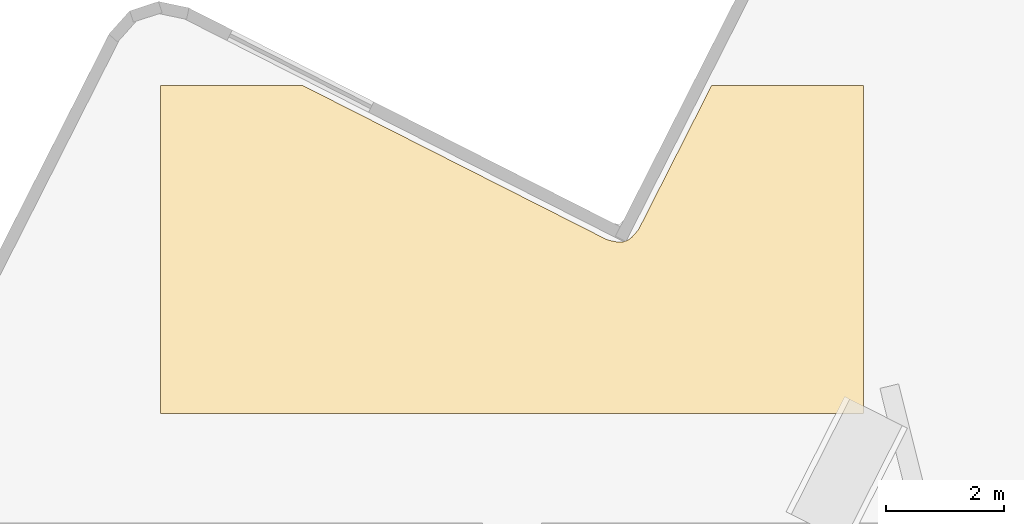
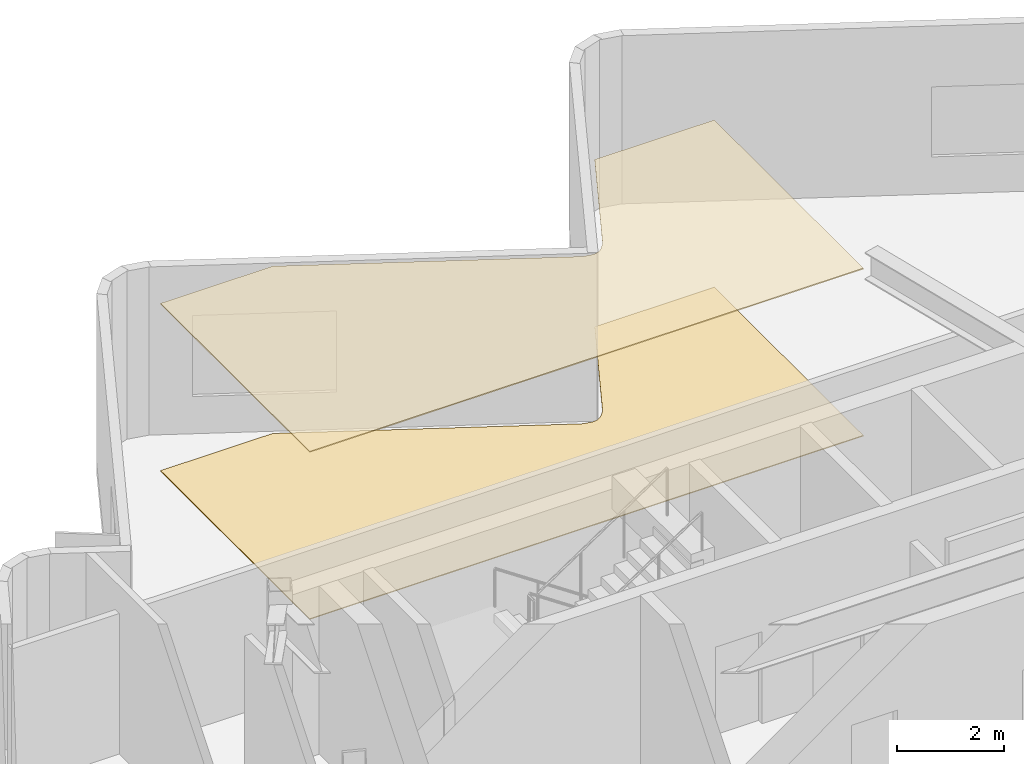
# One storey, part 7 of 8: 2 coverings.
"""IFC4 building model written with IfcOpenShell, lengths in metres."""

from ifc_helpers import new_model, si_unit, direction, frame, origin, place, context, subcontext, project, spatial, polyline, outline, extrude, material, layer, layer_set, type_object, element, save


model = new_model("IFC4")

# Units and contexts
model_context = context("Model", 3, precision=1e-05, world=origin(), true_north=direction((0.0, 1.0)))
body_context = subcontext(model_context, "Body", "Model", "MODEL_VIEW")
ifc_project = project(units=[si_unit("LENGTHUNIT", "METRE"), si_unit("AREAUNIT", "SQUARE_METRE"), si_unit("VOLUMEUNIT", "CUBIC_METRE"), si_unit("PLANEANGLEUNIT", "RADIAN"), si_unit("MASSUNIT", "GRAM", prefix="KILO")], contexts=[model_context])

# Site, building, storey
site_placement = place(None, origin())
site = spatial("IfcSite", under=ifc_project, at=site_placement, CompositionType="ELEMENT")
building_placement = place(site_placement, origin())
building = spatial("IfcBuilding", under=site, at=building_placement, Name="Solmarez Civic Tower", CompositionType="ELEMENT")
storey_placement = place(building_placement, frame((0.0, 0.0, 289.260009765625)))
storey = spatial("IfcBuildingStorey", under=building, at=storey_placement, Name="L78 Crown", CompositionType="ELEMENT", Elevation=289.260009765625)

# Coverings
ifc_material_1 = material(Name="Perforated Mineral-Fibre Acoustic Ceiling")
ifc_layer_1 = layer(ifc_material_1, 0.02490234375)
ifc_layer_set_1 = layer_set([ifc_layer_1], Name="Perforated Mineral-Fibre Acoustic Ceiling")
covering_type_1 = type_object("IfcCoveringType", Name="COV-CEIL-ACOUSTIC", PredefinedType="CEILING", material=ifc_layer_set_1)
covering_1_placement = place(storey_placement, frame((0.0, 0.0, 3.81494140625)))
element("IfcCovering", 1, at=covering_1_placement, inside=storey, type_object=covering_type_1, Name="L78 Crown Suspended Acoustic Ceiling 1", PredefinedType="CEILING", context=body_context, shape_type="SweptSolid", body=[
    extrude(outline(polyline([(5.97998046875, 17.780029296875), (3.39599609375, 17.780029296875), (2.1689453125, 15.361083984375), (2.1669921875, 15.35595703125), (2.153076171875, 15.33203125), (2.14892578125, 15.325927734375), (2.135986328125, 15.30908203125), (2.12109375, 15.2919921875), (2.052978515625, 15.216064453125), (2.0400390625, 15.200927734375), (2.02490234375, 15.18798828125), (2.01904296875, 15.18310546875), (2.0, 15.1689453125), (1.993896484375, 15.1650390625), (1.98095703125, 15.156982421875), (1.97412109375, 15.153076171875), (1.951904296875, 15.14208984375), (1.945068359375, 15.138916015625), (1.91796875, 15.12890625), (1.910888671875, 15.126953125), (1.904052734375, 15.125), (1.887939453125, 15.12109375), (1.87109375, 15.118896484375), (1.863037109375, 15.117919921875), (1.8359375, 15.115966796875), (1.8291015625, 15.115966796875), (1.802001953125, 15.117919921875), (1.785888671875, 15.1201171875), (1.76806640625, 15.123046875), (1.6630859375, 15.14501953125), (1.64794921875, 15.14794921875), (1.64111328125, 15.14990234375), (1.631103515625, 15.153076171875), (1.625, 15.155029296875), (1.596923828125, 15.1669921875), (1.590087890625, 15.1708984375), (-3.55908203125, 17.780029296875), (-5.97998046875, 17.780029296875), (-5.97998046875, 12.199951171875), (5.97998046875, 12.199951171875), (5.97998046875, 17.780029296875)])), origin(), (0.0, 0.0, 1.0), 0.025146484375),
])
ifc_material_2 = material(Name="Polished Tropical Stone Terrazzo Flooring", Category="masonry")
ifc_layer_2 = layer(ifc_material_2, 0.02001953125)
ifc_layer_set_2 = layer_set([ifc_layer_2], Name="Polished Tropical Stone Terrazzo Flooring")
covering_type_2 = type_object("IfcCoveringType", Name="COV-FLOOR-TERRAZZO", PredefinedType="FLOORING", material=ifc_layer_set_2)
covering_2_placement = place(storey_placement, origin())
element("IfcCovering", 2, at=covering_2_placement, inside=storey, type_object=covering_type_2, Name="L78 Crown Terrazzo Floor Finish 1", PredefinedType="FLOORING", context=body_context, shape_type="SweptSolid", body=[
    extrude(outline(polyline([(5.97998046875, 17.780029296875), (3.39599609375, 17.780029296875), (2.1689453125, 15.361083984375), (2.1669921875, 15.35595703125), (2.153076171875, 15.33203125), (2.14892578125, 15.325927734375), (2.135986328125, 15.30908203125), (2.12109375, 15.2919921875), (2.052978515625, 15.216064453125), (2.0400390625, 15.200927734375), (2.02490234375, 15.18798828125), (2.01904296875, 15.18310546875), (2.0, 15.1689453125), (1.993896484375, 15.1650390625), (1.98095703125, 15.156982421875), (1.97412109375, 15.153076171875), (1.951904296875, 15.14208984375), (1.945068359375, 15.138916015625), (1.91796875, 15.12890625), (1.910888671875, 15.126953125), (1.904052734375, 15.125), (1.887939453125, 15.12109375), (1.87109375, 15.118896484375), (1.863037109375, 15.117919921875), (1.8359375, 15.115966796875), (1.8291015625, 15.115966796875), (1.802001953125, 15.117919921875), (1.785888671875, 15.1201171875), (1.76806640625, 15.123046875), (1.6630859375, 15.14501953125), (1.64794921875, 15.14794921875), (1.64111328125, 15.14990234375), (1.631103515625, 15.153076171875), (1.625, 15.155029296875), (1.596923828125, 15.1669921875), (1.590087890625, 15.1708984375), (-3.55908203125, 17.780029296875), (-5.97998046875, 17.780029296875), (-5.97998046875, 12.199951171875), (5.97998046875, 12.199951171875), (5.97998046875, 17.780029296875)])), origin(), (0.0, 0.0, 1.0), 0.02001953125),
])

save(model, "model.ifc")
